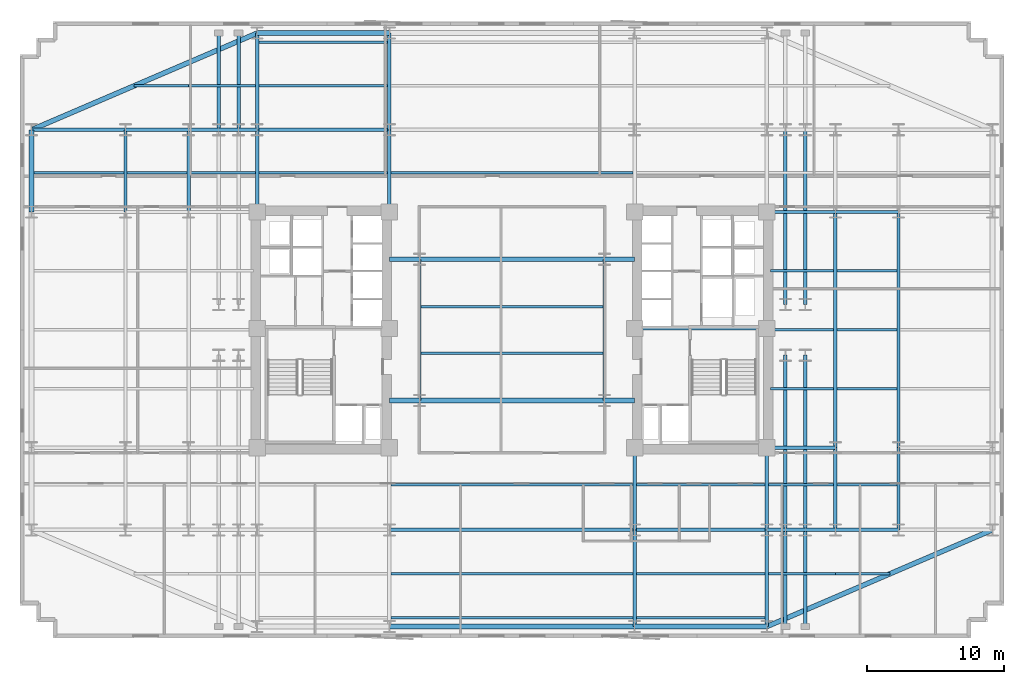
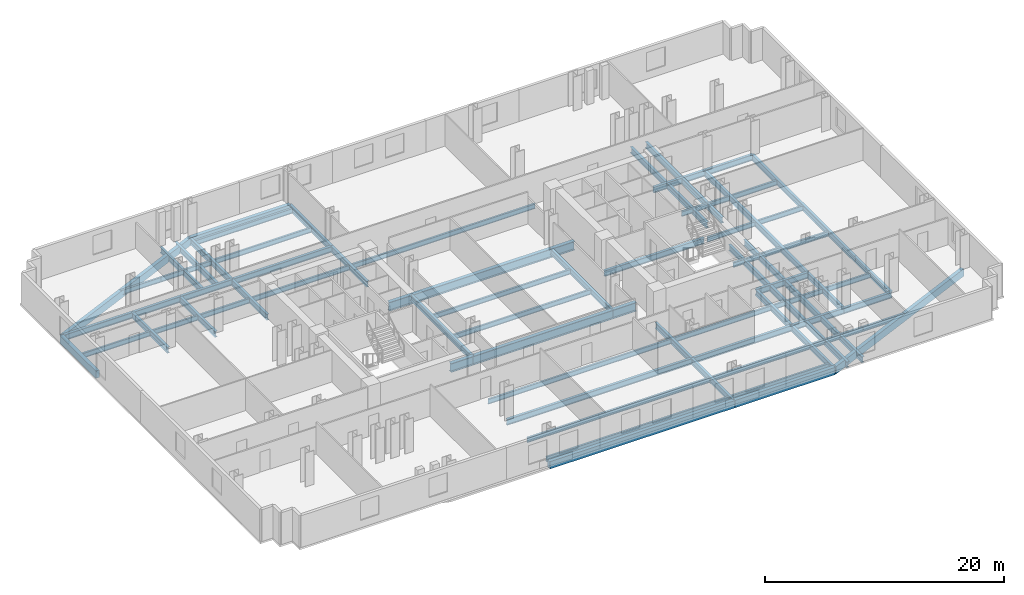
# One storey, part 2 of 10: 75 beams.
"""IFC4 building model written with IfcOpenShell, lengths in metres."""

from ifc_helpers import new_model, si_unit, direction, frame, origin, origin_2d, place, context, subcontext, project, spatial, rectangle, i_section, extrude, material, material_profile, profile_set, type_object, element, save


model = new_model("IFC4")

# Units and contexts
model_context = context("Model", 3, precision=1e-05, world=origin(), true_north=direction((0.0, 1.0)))
body_context = subcontext(model_context, "Body", "Model", "MODEL_VIEW")
ifc_project = project(units=[si_unit("LENGTHUNIT", "METRE"), si_unit("AREAUNIT", "SQUARE_METRE"), si_unit("VOLUMEUNIT", "CUBIC_METRE"), si_unit("PLANEANGLEUNIT", "RADIAN"), si_unit("MASSUNIT", "GRAM", prefix="KILO")], contexts=[model_context])

# Site, building, storey
site_placement = place(None, origin())
site = spatial("IfcSite", under=ifc_project, at=site_placement, CompositionType="ELEMENT")
building_placement = place(site_placement, origin())
building = spatial("IfcBuilding", under=site, at=building_placement, Name="Velakula Bourse", CompositionType="ELEMENT")
storey_placement = place(building_placement, frame((0.0, 0.0, 45.0)))
storey = spatial("IfcBuildingStorey", under=building, at=storey_placement, Name="L11", CompositionType="ELEMENT", Elevation=45.0)

# Beams
ifc_material_1 = material(Name="Steel IS 2062 Grade 350 (E350)", Category="steel")
ifc_material_profile_1 = material_profile(ifc_material_1, i_section(OverallWidth=0.25, OverallDepth=0.60009765625, WebThickness=0.01171875, FlangeThickness=0.023681640625, at=origin_2d()), Name="Steel IS 2062 Grade 350 (E350)")
ifc_profile_set_1 = profile_set([ifc_material_profile_1], Name="Steel IS 2062 Grade 350 (E350)")
beam_type_1 = type_object("IfcBeamType", Name="BM-GRD-600H", PredefinedType="BEAM", material=ifc_profile_set_1)
beam_1_placement = place(storey_placement, frame((8.949951171875, 0.10009765625, -0.47998046875), z_axis=(1.0, 0.0, 0.0), x_axis=(0.0, 1.0, 0.0)))
element("IfcBeam", 1, at=beam_1_placement, inside=storey, type_object=beam_type_1, Name="L11 Primary Backbone Girder CRE-M", PredefinedType="BEAM", context=body_context, shape_type="SweptSolid", body=[
    extrude(i_section(OverallWidth=0.25, OverallDepth=0.60009765625, WebThickness=0.01171875, FlangeThickness=0.023681640625, at=origin_2d()), origin(), (0.0, 0.0, 1.0), 9.650146484375),
])
for number, where, z_axis, x_axis, name in (
    (2, (-6.75, -5.14990234375, -0.47998046875), (0.0, 1.0, 0.0), (-1.0, 0.0, 0.0), "L11 Primary Backbone Girder SPN-W"),
    (3, (6.75, -5.14990234375, -0.47998046875), (0.0, 1.0, 0.0), (-1.0, 0.0, 0.0), "L11 Primary Backbone Girder SPN-E"),
):
    element("IfcBeam", number, at=place(storey_placement, frame(where, z_axis=z_axis, x_axis=x_axis)), inside=storey, type_object=beam_type_1, Name=name, PredefinedType="BEAM", context=body_context, shape_type="SweptSolid", body=[
        extrude(i_section(OverallWidth=0.25, OverallDepth=0.60009765625, WebThickness=0.01171875, FlangeThickness=0.023681640625, at=origin_2d()), origin(), (0.0, 0.0, 1.0), 10.2998046875),
    ])
for number, where, z_axis, x_axis, name in (
    (4, (-18.60009765625, 8.60009765625, -0.47998046875), (0.0, 1.0, 0.0), (-1.0, 0.0, 0.0), "L11 Fulcrum Grid Girder FLC-WN"),
    (5, (-8.949951171875, 8.60009765625, -0.47998046875), (0.0, 1.0, 0.0), (-1.0, 0.0, 0.0), "L11 Fulcrum Grid Girder FLC-WCN"),
    (6, (8.949951171875, -14.60009765625, -0.47998046875), (0.0, 1.0, 0.0), (-1.0, 0.0, 0.0), "L11 Fulcrum Grid Girder FLC-ECS"),
    (7, (18.60009765625, -14.60009765625, -0.47998046875), (0.0, 1.0, 0.0), (-1.0, 0.0, 0.0), "L11 Fulcrum Grid Girder FLC-ES"),
):
    element("IfcBeam", number, at=place(storey_placement, frame(where, z_axis=z_axis, x_axis=x_axis)), inside=storey, type_object=beam_type_1, Name=name, PredefinedType="BEAM", context=body_context, shape_type="SweptSolid", body=[
        extrude(i_section(OverallWidth=0.25, OverallDepth=0.60009765625, WebThickness=0.01171875, FlangeThickness=0.023681640625, at=origin_2d()), origin(), (0.0, 0.0, 1.0), 6.0),
    ])
beam_2_placement = place(storey_placement, frame((-8.949951171875, -14.60009765625, -0.47998046875), z_axis=(1.0, 0.0, 0.0), x_axis=(0.0, 1.0, 0.0)))
element("IfcBeam", 8, at=beam_2_placement, inside=storey, type_object=beam_type_1, Name="L11 Fulcrum Grid Girder FLC-S2", PredefinedType="BEAM", context=body_context, shape_type="SweptSolid", body=[
    extrude(i_section(OverallWidth=0.25, OverallDepth=0.60009765625, WebThickness=0.01171875, FlangeThickness=0.023681640625, at=origin_2d()), origin(), (0.0, 0.0, 1.0), 17.89990234375),
])
for number, where, z_axis, x_axis, name in (
    (9, (8.949951171875, -14.60009765625, -0.47998046875), (1.0, 0.0, 0.0), (0.0, 1.0, 0.0), "L11 Fulcrum Grid Girder FLC-S3"),
    (10, (-18.60009765625, 14.60009765625, -0.47998046875), (1.0, 0.0, 0.0), (0.0, 1.0, 0.0), "L11 Fulcrum Grid Girder FLC-N1"),
):
    element("IfcBeam", number, at=place(storey_placement, frame(where, z_axis=z_axis, x_axis=x_axis)), inside=storey, type_object=beam_type_1, Name=name, PredefinedType="BEAM", context=body_context, shape_type="SweptSolid", body=[
        extrude(i_section(OverallWidth=0.25, OverallDepth=0.60009765625, WebThickness=0.01171875, FlangeThickness=0.023681640625, at=origin_2d()), origin(), (0.0, 0.0, 1.0), 9.650146484375),
    ])
for number, where, z_axis, x_axis, name in (
    (11, (19.949951171875, -14.60009765625, -0.47998046875), (0.0, 1.0, 0.0), (-1.0, 0.0, 0.0), "L11 Fulcrum Grid Girder FLC-PSE1"),
    (12, (19.949951171875, 1.85009765625, -0.47998046875), (0.0, 1.0, 0.0), (-1.0, 0.0, 0.0), "L11 Fulcrum Grid Girder FLC-PNE1"),
    (13, (21.39990234375, -14.60009765625, -0.47998046875), (0.0, 1.0, 0.0), (-1.0, 0.0, 0.0), "L11 Fulcrum Grid Girder FLC-PSE2"),
    (14, (21.39990234375, 1.85009765625, -0.47998046875), (0.0, 1.0, 0.0), (-1.0, 0.0, 0.0), "L11 Fulcrum Grid Girder FLC-PNE2"),
):
    element("IfcBeam", number, at=place(storey_placement, frame(where, z_axis=z_axis, x_axis=x_axis)), inside=storey, type_object=beam_type_1, Name=name, PredefinedType="BEAM", context=body_context, shape_type="SweptSolid", body=[
        extrude(i_section(OverallWidth=0.25, OverallDepth=0.60009765625, WebThickness=0.01171875, FlangeThickness=0.023681640625, at=origin_2d()), origin(), (0.0, 0.0, 1.0), 12.75),
    ])
beam_3_placement = place(storey_placement, frame((-23.60009765625, 14.60009765625, -0.47998046875), z_axis=(1.0, 0.0, 0.0), x_axis=(0.0, 1.0, 0.0)))
element("IfcBeam", 15, at=beam_3_placement, inside=storey, type_object=beam_type_1, Name="L11 Fulcrum Grid Girder MWG-WN2", PredefinedType="BEAM", context=body_context, shape_type="SweptSolid", body=[
    extrude(i_section(OverallWidth=0.25, OverallDepth=0.60009765625, WebThickness=0.01171875, FlangeThickness=0.023681640625, at=origin_2d()), origin(), (0.0, 0.0, 1.0), 5.0),
])
beam_4_placement = place(storey_placement, frame((-23.60009765625, 8.60009765625, -0.47998046875), z_axis=(0.0, 1.0, 0.0), x_axis=(-1.0, 0.0, 0.0)))
element("IfcBeam", 16, at=beam_4_placement, inside=storey, type_object=beam_type_1, Name="L11 Fulcrum Grid Girder MWG-WNS3", PredefinedType="BEAM", context=body_context, shape_type="SweptSolid", body=[
    extrude(i_section(OverallWidth=0.25, OverallDepth=0.60009765625, WebThickness=0.01171875, FlangeThickness=0.023681640625, at=origin_2d()), origin(), (0.0, 0.0, 1.0), 6.0),
])
for number, where, z_axis, x_axis, name in (
    (17, (18.60009765625, -14.60009765625, -0.47998046875), (1.0, 0.0, 0.0), (0.0, 1.0, 0.0), "L11 Fulcrum Grid Girder MWG-ES1"),
    (18, (18.60009765625, -8.60009765625, -0.47998046875), (1.0, 0.0, 0.0), (0.0, 1.0, 0.0), "L11 Fulcrum Grid Girder MWG-ES2"),
    (19, (18.60009765625, 8.60009765625, -0.47998046875), (1.0, 0.0, 0.0), (0.0, 1.0, 0.0), "L11 Fulcrum Grid Girder MWG-EN1"),
):
    element("IfcBeam", number, at=place(storey_placement, frame(where, z_axis=z_axis, x_axis=x_axis)), inside=storey, type_object=beam_type_1, Name=name, PredefinedType="BEAM", context=body_context, shape_type="SweptSolid", body=[
        extrude(i_section(OverallWidth=0.25, OverallDepth=0.60009765625, WebThickness=0.01171875, FlangeThickness=0.023681640625, at=origin_2d()), origin(), (0.0, 0.0, 1.0), 5.0),
    ])
beam_5_placement = place(storey_placement, frame((23.60009765625, -14.60009765625, -0.47998046875), z_axis=(0.0, 1.0, 0.0), x_axis=(-1.0, 0.0, 0.0)))
element("IfcBeam", 20, at=beam_5_placement, inside=storey, type_object=beam_type_1, Name="L11 Fulcrum Grid Girder MWG-ENS1", PredefinedType="BEAM", context=body_context, shape_type="SweptSolid", body=[
    extrude(i_section(OverallWidth=0.25, OverallDepth=0.60009765625, WebThickness=0.01171875, FlangeThickness=0.023681640625, at=origin_2d()), origin(), (0.0, 0.0, 1.0), 6.0),
])
beam_6_placement = place(storey_placement, frame((23.60009765625, -8.60009765625, -0.47998046875), z_axis=(0.0, 1.0, 0.0), x_axis=(-1.0, 0.0, 0.0)))
element("IfcBeam", 21, at=beam_6_placement, inside=storey, type_object=beam_type_1, Name="L11 Fulcrum Grid Girder MWG-ENS2", PredefinedType="BEAM", context=body_context, shape_type="SweptSolid", body=[
    extrude(i_section(OverallWidth=0.25, OverallDepth=0.60009765625, WebThickness=0.01171875, FlangeThickness=0.023681640625, at=origin_2d()), origin(), (0.0, 0.0, 1.0), 17.2001953125),
])
beam_7_placement = place(storey_placement, frame((-28.199951171875, 14.60009765625, -0.47998046875), z_axis=(1.0, 0.0, 0.0), x_axis=(0.0, 1.0, 0.0)))
element("IfcBeam", 22, at=beam_7_placement, inside=storey, type_object=beam_type_1, Name="L11 Fulcrum Grid Girder WNG-WN2", PredefinedType="BEAM", context=body_context, shape_type="SweptSolid", body=[
    extrude(i_section(OverallWidth=0.25, OverallDepth=0.60009765625, WebThickness=0.01171875, FlangeThickness=0.023681640625, at=origin_2d()), origin(), (0.0, 0.0, 1.0), 4.599853515625),
])
beam_8_placement = place(storey_placement, frame((-28.199951171875, 8.60009765625, -0.47998046875), z_axis=(0.0, 1.0, 0.0), x_axis=(-1.0, 0.0, 0.0)))
element("IfcBeam", 23, at=beam_8_placement, inside=storey, type_object=beam_type_1, Name="L11 Fulcrum Grid Girder WNG-WNS3", PredefinedType="BEAM", context=body_context, shape_type="SweptSolid", body=[
    extrude(i_section(OverallWidth=0.25, OverallDepth=0.60009765625, WebThickness=0.01171875, FlangeThickness=0.023681640625, at=origin_2d()), origin(), (0.0, 0.0, 1.0), 6.0),
])
for number, where, z_axis, x_axis, name in (
    (24, (23.60009765625, -14.60009765625, -0.47998046875), (1.0, 0.0, 0.0), (0.0, 1.0, 0.0), "L11 Fulcrum Grid Girder WNG-ES1"),
    (25, (23.60009765625, 8.60009765625, -0.47998046875), (1.0, 0.0, 0.0), (0.0, 1.0, 0.0), "L11 Fulcrum Grid Girder WNG-EN1"),
):
    element("IfcBeam", number, at=place(storey_placement, frame(where, z_axis=z_axis, x_axis=x_axis)), inside=storey, type_object=beam_type_1, Name=name, PredefinedType="BEAM", context=body_context, shape_type="SweptSolid", body=[
        extrude(i_section(OverallWidth=0.25, OverallDepth=0.60009765625, WebThickness=0.01171875, FlangeThickness=0.023681640625, at=origin_2d()), origin(), (0.0, 0.0, 1.0), 4.599853515625),
    ])
beam_9_placement = place(storey_placement, frame((28.199951171875, -14.60009765625, -0.47998046875), z_axis=(0.0, 1.0, 0.0), x_axis=(-1.0, 0.0, 0.0)))
element("IfcBeam", 26, at=beam_9_placement, inside=storey, type_object=beam_type_1, Name="L11 Fulcrum Grid Girder WNG-ENS1", PredefinedType="BEAM", context=body_context, shape_type="SweptSolid", body=[
    extrude(i_section(OverallWidth=0.25, OverallDepth=0.60009765625, WebThickness=0.01171875, FlangeThickness=0.023681640625, at=origin_2d()), origin(), (0.0, 0.0, 1.0), 6.0),
])
beam_10_placement = place(storey_placement, frame((28.199951171875, -8.60009765625, -0.47998046875), z_axis=(0.0, 1.0, 0.0), x_axis=(-1.0, 0.0, 0.0)))
element("IfcBeam", 27, at=beam_10_placement, inside=storey, type_object=beam_type_1, Name="L11 Fulcrum Grid Girder WNG-ENS2", PredefinedType="BEAM", context=body_context, shape_type="SweptSolid", body=[
    extrude(i_section(OverallWidth=0.25, OverallDepth=0.60009765625, WebThickness=0.01171875, FlangeThickness=0.023681640625, at=origin_2d()), origin(), (0.0, 0.0, 1.0), 17.2001953125),
])
for number, where, z_axis, x_axis, name in (
    (28, (8.949951171875, -14.60009765625, -0.47998046875), (0.0, -1.0, 0.0), (1.0, 0.0, 0.0), "L11 Perimeter Tie Girder S3"),
    (29, (18.60009765625, -14.60009765625, -0.47998046875), (0.0, -1.0, 0.0), (1.0, 0.0, 0.0), "L11 Perimeter Tie Girder S4"),
    (30, (-18.60009765625, 14.60009765625, -0.47998046875), (0.0, 1.0, 0.0), (-1.0, 0.0, 0.0), "L11 Perimeter Tie Girder N1"),
    (31, (-8.949951171875, 14.60009765625, -0.47998046875), (0.0, 1.0, 0.0), (-1.0, 0.0, 0.0), "L11 Perimeter Tie Girder N2"),
):
    element("IfcBeam", number, at=place(storey_placement, frame(where, z_axis=z_axis, x_axis=x_axis)), inside=storey, type_object=beam_type_1, Name=name, PredefinedType="BEAM", context=body_context, shape_type="SweptSolid", body=[
        extrude(i_section(OverallWidth=0.25, OverallDepth=0.60009765625, WebThickness=0.01171875, FlangeThickness=0.023681640625, at=origin_2d()), origin(), (0.0, 0.0, 1.0), 7.0498046875),
    ])
beam_11_placement = place(storey_placement, frame((-28.199951171875, 14.60009765625, -0.47998046875), z_axis=(-1.0, 0.0, 0.0), x_axis=(0.0, -1.0, 0.0)))
element("IfcBeam", 32, at=beam_11_placement, inside=storey, type_object=beam_type_1, Name="L11 Perimeter Tie Girder W4", PredefinedType="BEAM", context=body_context, shape_type="SweptSolid", body=[
    extrude(i_section(OverallWidth=0.25, OverallDepth=0.60009765625, WebThickness=0.01171875, FlangeThickness=0.023681640625, at=origin_2d()), origin(), (0.0, 0.0, 1.0), 6.85009765625),
])
for number, where, z_axis, x_axis, name in (
    (33, (19.949951171875, -14.60009765625, -0.47998046875), (0.0, -1.0, 0.0), (1.0, 0.0, 0.0), "L11 Perimeter Tie Girder P03"),
    (34, (21.39990234375, -14.60009765625, -0.47998046875), (0.0, -1.0, 0.0), (1.0, 0.0, 0.0), "L11 Perimeter Tie Girder P04"),
    (35, (-21.39990234375, 14.60009765625, -0.47998046875), (0.0, 1.0, 0.0), (-1.0, 0.0, 0.0), "L11 Perimeter Tie Girder P05"),
    (36, (-19.949951171875, 14.60009765625, -0.47998046875), (0.0, 1.0, 0.0), (-1.0, 0.0, 0.0), "L11 Perimeter Tie Girder P06"),
):
    element("IfcBeam", number, at=place(storey_placement, frame(where, z_axis=z_axis, x_axis=x_axis)), inside=storey, type_object=beam_type_1, Name=name, PredefinedType="BEAM", context=body_context, shape_type="SweptSolid", body=[
        extrude(i_section(OverallWidth=0.25, OverallDepth=0.60009765625, WebThickness=0.01171875, FlangeThickness=0.023681640625, at=origin_2d()), origin(), (0.0, 0.0, 1.0), 7.0498046875),
    ])
ifc_material_profile_2 = material_profile(ifc_material_1, i_section(OverallWidth=0.35009765625, OverallDepth=0.89990234375, WebThickness=0.02001953125, FlangeThickness=0.031982421875, at=origin_2d()), Name="Steel IS 2062 Grade 350 (E350)")
ifc_profile_set_2 = profile_set([ifc_material_profile_2], Name="Steel IS 2062 Grade 350 (E350)")
beam_type_2 = type_object("IfcBeamType", Name="BM-LNK-900", PredefinedType="BEAM", material=ifc_profile_set_2)
beam_12_placement = place(storey_placement, frame((-8.949951171875, -5.14990234375, -0.6298828125), z_axis=(1.0, 0.0, 0.0), x_axis=(0.0, 1.0, 0.0)))
element("IfcBeam", 37, at=beam_12_placement, inside=storey, type_object=beam_type_2, Name="L11 Primary Backbone Girder LNK-S1", PredefinedType="BEAM", context=body_context, shape_type="SweptSolid", body=[
    extrude(i_section(OverallWidth=0.35009765625, OverallDepth=0.89990234375, WebThickness=0.02001953125, FlangeThickness=0.031982421875, at=origin_2d()), origin(), (0.0, 0.0, 1.0), 2.199951171875),
])
beam_13_placement = place(storey_placement, frame((-6.75, -5.14990234375, -0.6298828125), z_axis=(1.0, 0.0, 0.0), x_axis=(0.0, 1.0, 0.0)))
element("IfcBeam", 38, at=beam_13_placement, inside=storey, type_object=beam_type_2, Name="L11 Primary Backbone Girder LNK-S2", PredefinedType="BEAM", context=body_context, shape_type="SweptSolid", body=[
    extrude(i_section(OverallWidth=0.35009765625, OverallDepth=0.89990234375, WebThickness=0.02001953125, FlangeThickness=0.031982421875, at=origin_2d()), origin(), (0.0, 0.0, 1.0), 13.5),
])
for number, where, z_axis, x_axis, name in (
    (39, (6.75, -5.14990234375, -0.6298828125), (1.0, 0.0, 0.0), (0.0, 1.0, 0.0), "L11 Primary Backbone Girder LNK-S3"),
    (40, (-8.949951171875, 5.14990234375, -0.6298828125), (1.0, 0.0, 0.0), (0.0, 1.0, 0.0), "L11 Primary Backbone Girder LNK-N1"),
):
    element("IfcBeam", number, at=place(storey_placement, frame(where, z_axis=z_axis, x_axis=x_axis)), inside=storey, type_object=beam_type_2, Name=name, PredefinedType="BEAM", context=body_context, shape_type="SweptSolid", body=[
        extrude(i_section(OverallWidth=0.35009765625, OverallDepth=0.89990234375, WebThickness=0.02001953125, FlangeThickness=0.031982421875, at=origin_2d()), origin(), (0.0, 0.0, 1.0), 2.199951171875),
    ])
beam_14_placement = place(storey_placement, frame((-6.75, 5.14990234375, -0.6298828125), z_axis=(1.0, 0.0, 0.0), x_axis=(0.0, 1.0, 0.0)))
element("IfcBeam", 41, at=beam_14_placement, inside=storey, type_object=beam_type_2, Name="L11 Primary Backbone Girder LNK-N2", PredefinedType="BEAM", context=body_context, shape_type="SweptSolid", body=[
    extrude(i_section(OverallWidth=0.35009765625, OverallDepth=0.89990234375, WebThickness=0.02001953125, FlangeThickness=0.031982421875, at=origin_2d()), origin(), (0.0, 0.0, 1.0), 13.5),
])
beam_15_placement = place(storey_placement, frame((6.75, 5.14990234375, -0.6298828125), z_axis=(1.0, 0.0, 0.0), x_axis=(0.0, 1.0, 0.0)))
element("IfcBeam", 42, at=beam_15_placement, inside=storey, type_object=beam_type_2, Name="L11 Primary Backbone Girder LNK-N3", PredefinedType="BEAM", context=body_context, shape_type="SweptSolid", body=[
    extrude(i_section(OverallWidth=0.35009765625, OverallDepth=0.89990234375, WebThickness=0.02001953125, FlangeThickness=0.031982421875, at=origin_2d()), origin(), (0.0, 0.0, 1.0), 2.199951171875),
])
ifc_material_profile_3 = material_profile(ifc_material_1, i_section(OverallWidth=0.179931640625, OverallDepth=0.5, WebThickness=0.01025390625, FlangeThickness=0.01708984375, at=origin_2d()), Name="Steel IS 2062 Grade 350 (E350)")
ifc_profile_set_3 = profile_set([ifc_material_profile_3], Name="Steel IS 2062 Grade 350 (E350)")
beam_type_3 = type_object("IfcBeamType", Name="JST-TWR-500", PredefinedType="JOIST", material=ifc_profile_set_3)
beam_16_placement = place(storey_placement, frame((-8.824951171875, -21.0, -0.429931640625), z_axis=(1.0, 0.0, 0.0), x_axis=(0.0, 1.0, 0.0)))
element("IfcBeam", 43, at=beam_16_placement, inside=storey, type_object=beam_type_3, Name="L11 Trading Floor Composite Joist 02", PredefinedType="JOIST", context=body_context, shape_type="SweptSolid", body=[
    extrude(i_section(OverallWidth=0.179931640625, OverallDepth=0.5, WebThickness=0.01025390625, FlangeThickness=0.01708984375, at=origin_2d()), origin(), (0.0, 0.0, 1.0), 17.64990234375),
])
beam_17_placement = place(storey_placement, frame((9.074951171875, -21.0, -0.429931640625), z_axis=(1.0, 0.0, 0.0), x_axis=(0.0, 1.0, 0.0)))
element("IfcBeam", 44, at=beam_17_placement, inside=storey, type_object=beam_type_3, Name="L11 Trading Floor Composite Joist 03", PredefinedType="JOIST", context=body_context, shape_type="SweptSolid", body=[
    extrude(i_section(OverallWidth=0.179931640625, OverallDepth=0.5, WebThickness=0.01025390625, FlangeThickness=0.01708984375, at=origin_2d()), origin(), (0.0, 0.0, 1.0), 9.400146484375),
])
beam_18_placement = place(storey_placement, frame((-8.824951171875, -17.800048828125, -0.429931640625), z_axis=(1.0, 0.0, 0.0), x_axis=(0.0, 1.0, 0.0)))
element("IfcBeam", 45, at=beam_18_placement, inside=storey, type_object=beam_type_3, Name="L11 Trading Floor Composite Joist 07", PredefinedType="JOIST", context=body_context, shape_type="SweptSolid", body=[
    extrude(i_section(OverallWidth=0.179931640625, OverallDepth=0.5, WebThickness=0.01025390625, FlangeThickness=0.01708984375, at=origin_2d()), origin(), (0.0, 0.0, 1.0), 17.64990234375),
])
beam_19_placement = place(storey_placement, frame((9.074951171875, -17.800048828125, -0.429931640625), z_axis=(1.0, 0.0, 0.0), x_axis=(0.0, 1.0, 0.0)))
element("IfcBeam", 46, at=beam_19_placement, inside=storey, type_object=beam_type_3, Name="L11 Trading Floor Composite Joist 08", PredefinedType="JOIST", context=body_context, shape_type="SweptSolid", body=[
    extrude(i_section(OverallWidth=0.179931640625, OverallDepth=0.5, WebThickness=0.01025390625, FlangeThickness=0.01708984375, at=origin_2d()), origin(), (0.0, 0.0, 1.0), 9.400146484375),
])
beam_20_placement = place(storey_placement, frame((18.72509765625, -17.800048828125, -0.429931640625), z_axis=(1.0, 0.0, 0.0), x_axis=(0.0, 1.0, 0.0)))
element("IfcBeam", 47, at=beam_20_placement, inside=storey, type_object=beam_type_3, Name="L11 Trading Floor Composite Joist 09", PredefinedType="JOIST", context=body_context, shape_type="SweptSolid", body=[
    extrude(i_section(OverallWidth=0.179931640625, OverallDepth=0.5, WebThickness=0.01025390625, FlangeThickness=0.01708984375, at=origin_2d()), origin(), (0.0, 0.0, 1.0), 4.875),
])
beam_21_placement = place(storey_placement, frame((23.60009765625, -17.800048828125, -0.429931640625), z_axis=(1.0, 0.0, 0.0), x_axis=(0.0, 1.0, 0.0)))
element("IfcBeam", 48, at=beam_21_placement, inside=storey, type_object=beam_type_3, Name="L11 Trading Floor Composite Joist 10", PredefinedType="JOIST", context=body_context, shape_type="SweptSolid", body=[
    extrude(i_section(OverallWidth=0.179931640625, OverallDepth=0.5, WebThickness=0.01025390625, FlangeThickness=0.01708984375, at=origin_2d()), origin(), (0.0, 0.0, 1.0), 3.983154296875),
])
beam_22_placement = place(storey_placement, frame((-8.824951171875, -11.300048828125, -0.429931640625), z_axis=(1.0, 0.0, 0.0), x_axis=(0.0, 1.0, 0.0)))
element("IfcBeam", 49, at=beam_22_placement, inside=storey, type_object=beam_type_3, Name="L11 Trading Floor Composite Joist 15", PredefinedType="JOIST", context=body_context, shape_type="SweptSolid", body=[
    extrude(i_section(OverallWidth=0.179931640625, OverallDepth=0.5, WebThickness=0.01025390625, FlangeThickness=0.01708984375, at=origin_2d()), origin(), (0.0, 0.0, 1.0), 17.64990234375),
])
beam_23_placement = place(storey_placement, frame((9.074951171875, -11.300048828125, -0.429931640625), z_axis=(1.0, 0.0, 0.0), x_axis=(0.0, 1.0, 0.0)))
element("IfcBeam", 50, at=beam_23_placement, inside=storey, type_object=beam_type_3, Name="L11 Trading Floor Composite Joist 16", PredefinedType="JOIST", context=body_context, shape_type="SweptSolid", body=[
    extrude(i_section(OverallWidth=0.179931640625, OverallDepth=0.5, WebThickness=0.01025390625, FlangeThickness=0.01708984375, at=origin_2d()), origin(), (0.0, 0.0, 1.0), 9.400146484375),
])
beam_24_placement = place(storey_placement, frame((18.72509765625, -11.300048828125, -0.429931640625), z_axis=(1.0, 0.0, 0.0), x_axis=(0.0, 1.0, 0.0)))
element("IfcBeam", 51, at=beam_24_placement, inside=storey, type_object=beam_type_3, Name="L11 Trading Floor Composite Joist 17", PredefinedType="JOIST", context=body_context, shape_type="SweptSolid", body=[
    extrude(i_section(OverallWidth=0.179931640625, OverallDepth=0.5, WebThickness=0.01025390625, FlangeThickness=0.01708984375, at=origin_2d()), origin(), (0.0, 0.0, 1.0), 4.75),
])
beam_25_placement = place(storey_placement, frame((23.72509765625, -11.300048828125, -0.429931640625), z_axis=(1.0, 0.0, 0.0), x_axis=(0.0, 1.0, 0.0)))
element("IfcBeam", 52, at=beam_25_placement, inside=storey, type_object=beam_type_3, Name="L11 Trading Floor Composite Joist 18", PredefinedType="JOIST", context=body_context, shape_type="SweptSolid", body=[
    extrude(i_section(OverallWidth=0.179931640625, OverallDepth=0.5, WebThickness=0.01025390625, FlangeThickness=0.01708984375, at=origin_2d()), origin(), (0.0, 0.0, 1.0), 4.349853515625),
])
beam_26_placement = place(storey_placement, frame((-34.875, 11.449951171875, -0.429931640625), z_axis=(1.0, 0.0, 0.0), x_axis=(0.0, 1.0, 0.0)))
element("IfcBeam", 53, at=beam_26_placement, inside=storey, type_object=beam_type_3, Name="L11 Trading Floor Composite Joist 20", PredefinedType="JOIST", context=body_context, shape_type="SweptSolid", body=[
    extrude(i_section(OverallWidth=0.179931640625, OverallDepth=0.5, WebThickness=0.01025390625, FlangeThickness=0.01708984375, at=origin_2d()), origin(), (0.0, 0.0, 1.0), 6.550048828125),
])
beam_27_placement = place(storey_placement, frame((-28.074951171875, 11.449951171875, -0.429931640625), z_axis=(1.0, 0.0, 0.0), x_axis=(0.0, 1.0, 0.0)))
element("IfcBeam", 54, at=beam_27_placement, inside=storey, type_object=beam_type_3, Name="L11 Trading Floor Composite Joist 21", PredefinedType="JOIST", context=body_context, shape_type="SweptSolid", body=[
    extrude(i_section(OverallWidth=0.179931640625, OverallDepth=0.5, WebThickness=0.01025390625, FlangeThickness=0.01708984375, at=origin_2d()), origin(), (0.0, 0.0, 1.0), 4.349853515625),
])
beam_28_placement = place(storey_placement, frame((-23.47509765625, 11.449951171875, -0.429931640625), z_axis=(1.0, 0.0, 0.0), x_axis=(0.0, 1.0, 0.0)))
element("IfcBeam", 55, at=beam_28_placement, inside=storey, type_object=beam_type_3, Name="L11 Trading Floor Composite Joist 22", PredefinedType="JOIST", context=body_context, shape_type="SweptSolid", body=[
    extrude(i_section(OverallWidth=0.179931640625, OverallDepth=0.5, WebThickness=0.01025390625, FlangeThickness=0.01708984375, at=origin_2d()), origin(), (0.0, 0.0, 1.0), 4.75),
])
beam_29_placement = place(storey_placement, frame((-18.47509765625, 11.449951171875, -0.429931640625), z_axis=(1.0, 0.0, 0.0), x_axis=(0.0, 1.0, 0.0)))
element("IfcBeam", 56, at=beam_29_placement, inside=storey, type_object=beam_type_3, Name="L11 Trading Floor Composite Joist 23", PredefinedType="JOIST", context=body_context, shape_type="SweptSolid", body=[
    extrude(i_section(OverallWidth=0.179931640625, OverallDepth=0.5, WebThickness=0.01025390625, FlangeThickness=0.01708984375, at=origin_2d()), origin(), (0.0, 0.0, 1.0), 9.400146484375),
])
beam_30_placement = place(storey_placement, frame((-8.824951171875, 11.449951171875, -0.429931640625), z_axis=(1.0, 0.0, 0.0), x_axis=(0.0, 1.0, 0.0)))
element("IfcBeam", 57, at=beam_30_placement, inside=storey, type_object=beam_type_3, Name="L11 Trading Floor Composite Joist 24", PredefinedType="JOIST", context=body_context, shape_type="SweptSolid", body=[
    extrude(i_section(OverallWidth=0.179931640625, OverallDepth=0.5, WebThickness=0.01025390625, FlangeThickness=0.01708984375, at=origin_2d()), origin(), (0.0, 0.0, 1.0), 17.64990234375),
])
beam_31_placement = place(storey_placement, frame((-27.583251953125, 17.800048828125, -0.429931640625), z_axis=(1.0, 0.0, 0.0), x_axis=(0.0, 1.0, 0.0)))
element("IfcBeam", 58, at=beam_31_placement, inside=storey, type_object=beam_type_3, Name="L11 Trading Floor Composite Joist 29", PredefinedType="JOIST", context=body_context, shape_type="SweptSolid", body=[
    extrude(i_section(OverallWidth=0.179931640625, OverallDepth=0.5, WebThickness=0.01025390625, FlangeThickness=0.01708984375, at=origin_2d()), origin(), (0.0, 0.0, 1.0), 3.983154296875),
])
beam_32_placement = place(storey_placement, frame((-23.60009765625, 17.800048828125, -0.429931640625), z_axis=(1.0, 0.0, 0.0), x_axis=(0.0, 1.0, 0.0)))
element("IfcBeam", 59, at=beam_32_placement, inside=storey, type_object=beam_type_3, Name="L11 Trading Floor Composite Joist 30", PredefinedType="JOIST", context=body_context, shape_type="SweptSolid", body=[
    extrude(i_section(OverallWidth=0.179931640625, OverallDepth=0.5, WebThickness=0.01025390625, FlangeThickness=0.01708984375, at=origin_2d()), origin(), (0.0, 0.0, 1.0), 4.875),
])
for number, where, z_axis, x_axis, name in (
    (60, (-18.47509765625, 17.800048828125, -0.429931640625), (1.0, 0.0, 0.0), (0.0, 1.0, 0.0), "L11 Trading Floor Composite Joist 31"),
    (61, (-18.47509765625, 21.0, -0.429931640625), (1.0, 0.0, 0.0), (0.0, 1.0, 0.0), "L11 Trading Floor Composite Joist 36"),
):
    element("IfcBeam", number, at=place(storey_placement, frame(where, z_axis=z_axis, x_axis=x_axis)), inside=storey, type_object=beam_type_3, Name=name, PredefinedType="JOIST", context=body_context, shape_type="SweptSolid", body=[
        extrude(i_section(OverallWidth=0.179931640625, OverallDepth=0.5, WebThickness=0.01025390625, FlangeThickness=0.01708984375, at=origin_2d()), origin(), (0.0, 0.0, 1.0), 9.400146484375),
    ])
for number, where, z_axis, x_axis, name in (
    (62, (-6.625, -1.699951171875, -0.429931640625), (1.0, 0.0, 0.0), (0.0, 1.0, 0.0), "L11 Trading Floor Composite Joist 39"),
    (63, (-6.625, 1.699951171875, -0.429931640625), (1.0, 0.0, 0.0), (0.0, 1.0, 0.0), "L11 Trading Floor Composite Joist 40"),
):
    element("IfcBeam", number, at=place(storey_placement, frame(where, z_axis=z_axis, x_axis=x_axis)), inside=storey, type_object=beam_type_3, Name=name, PredefinedType="JOIST", context=body_context, shape_type="SweptSolid", body=[
        extrude(i_section(OverallWidth=0.179931640625, OverallDepth=0.5, WebThickness=0.01025390625, FlangeThickness=0.01708984375, at=origin_2d()), origin(), (0.0, 0.0, 1.0), 13.25),
    ])
beam_33_placement = place(storey_placement, frame((18.85009765625, -4.300048828125, -0.429931640625), z_axis=(1.0, 0.0, 0.0), x_axis=(0.0, 1.0, 0.0)))
element("IfcBeam", 64, at=beam_33_placement, inside=storey, type_object=beam_type_3, Name="L11 Trading Floor Composite Joist 44", PredefinedType="JOIST", context=body_context, shape_type="SweptSolid", body=[
    extrude(i_section(OverallWidth=0.179931640625, OverallDepth=0.5, WebThickness=0.01025390625, FlangeThickness=0.01708984375, at=origin_2d()), origin(), (0.0, 0.0, 1.0), 4.625),
])
beam_34_placement = place(storey_placement, frame((23.72509765625, -4.300048828125, -0.429931640625), z_axis=(1.0, 0.0, 0.0), x_axis=(0.0, 1.0, 0.0)))
element("IfcBeam", 65, at=beam_34_placement, inside=storey, type_object=beam_type_3, Name="L11 Trading Floor Composite Joist 45", PredefinedType="JOIST", context=body_context, shape_type="SweptSolid", body=[
    extrude(i_section(OverallWidth=0.179931640625, OverallDepth=0.5, WebThickness=0.01025390625, FlangeThickness=0.01708984375, at=origin_2d()), origin(), (0.0, 0.0, 1.0), 4.349853515625),
])
beam_35_placement = place(storey_placement, frame((18.85009765625, 0.0, -0.429931640625), z_axis=(1.0, 0.0, 0.0), x_axis=(0.0, 1.0, 0.0)))
element("IfcBeam", 66, at=beam_35_placement, inside=storey, type_object=beam_type_3, Name="L11 Trading Floor Composite Joist 50", PredefinedType="JOIST", context=body_context, shape_type="SweptSolid", body=[
    extrude(i_section(OverallWidth=0.179931640625, OverallDepth=0.5, WebThickness=0.01025390625, FlangeThickness=0.01708984375, at=origin_2d()), origin(), (0.0, 0.0, 1.0), 4.625),
])
beam_36_placement = place(storey_placement, frame((23.72509765625, 0.0, -0.429931640625), z_axis=(1.0, 0.0, 0.0), x_axis=(0.0, 1.0, 0.0)))
element("IfcBeam", 67, at=beam_36_placement, inside=storey, type_object=beam_type_3, Name="L11 Trading Floor Composite Joist 51", PredefinedType="JOIST", context=body_context, shape_type="SweptSolid", body=[
    extrude(i_section(OverallWidth=0.179931640625, OverallDepth=0.5, WebThickness=0.01025390625, FlangeThickness=0.01708984375, at=origin_2d()), origin(), (0.0, 0.0, 1.0), 4.349853515625),
])
beam_37_placement = place(storey_placement, frame((18.85009765625, 4.300048828125, -0.429931640625), z_axis=(1.0, 0.0, 0.0), x_axis=(0.0, 1.0, 0.0)))
element("IfcBeam", 68, at=beam_37_placement, inside=storey, type_object=beam_type_3, Name="L11 Trading Floor Composite Joist 56", PredefinedType="JOIST", context=body_context, shape_type="SweptSolid", body=[
    extrude(i_section(OverallWidth=0.179931640625, OverallDepth=0.5, WebThickness=0.01025390625, FlangeThickness=0.01708984375, at=origin_2d()), origin(), (0.0, 0.0, 1.0), 4.625),
])
beam_38_placement = place(storey_placement, frame((23.72509765625, 4.300048828125, -0.429931640625), z_axis=(1.0, 0.0, 0.0), x_axis=(0.0, 1.0, 0.0)))
element("IfcBeam", 69, at=beam_38_placement, inside=storey, type_object=beam_type_3, Name="L11 Trading Floor Composite Joist 57", PredefinedType="JOIST", context=body_context, shape_type="SweptSolid", body=[
    extrude(i_section(OverallWidth=0.179931640625, OverallDepth=0.5, WebThickness=0.01025390625, FlangeThickness=0.01708984375, at=origin_2d()), origin(), (0.0, 0.0, 1.0), 4.349853515625),
])
ifc_material_2 = material(Name="Precast concrete M45 (fck 45 MPa)", Category="concrete")
ifc_material_profile_4 = material_profile(ifc_material_2, rectangle(XDim=0.35009765625, YDim=0.75, at=origin_2d()), Name="Precast concrete M45 (fck 45 MPa)")
ifc_profile_set_4 = profile_set([ifc_material_profile_4], Name="Precast concrete M45 (fck 45 MPa)")
beam_type_4 = type_object("IfcBeamType", Name="SPN-BRICK-750", PredefinedType="SPANDREL", material=ifc_profile_set_4)
beam_39_placement = place(storey_placement, frame((-8.949951171875, -21.64990234375, -0.554931640625), z_axis=(1.0, 0.0, 0.0), x_axis=(0.0, 1.0, 0.0)))
element("IfcBeam", 70, at=beam_39_placement, inside=storey, type_object=beam_type_4, Name="L11 Brick-Faced Precast Spandrel S2-S3", PredefinedType="SPANDREL", context=body_context, shape_type="SweptSolid", body=[
    extrude(rectangle(XDim=0.35009765625, YDim=0.75, at=origin_2d()), origin(), (0.0, 0.0, 1.0), 17.89990234375),
])
for number, where, z_axis, x_axis, name in (
    (71, (8.949951171875, -21.64990234375, -0.554931640625), (1.0, 0.0, 0.0), (0.0, 1.0, 0.0), "L11 Brick-Faced Precast Spandrel S3-S4"),
    (72, (-18.60009765625, 21.64990234375, -0.554931640625), (1.0, 0.0, 0.0), (0.0, 1.0, 0.0), "L11 Brick-Faced Precast Spandrel N1-N2"),
):
    element("IfcBeam", number, at=place(storey_placement, frame(where, z_axis=z_axis, x_axis=x_axis)), inside=storey, type_object=beam_type_4, Name=name, PredefinedType="SPANDREL", context=body_context, shape_type="SweptSolid", body=[
        extrude(rectangle(XDim=0.35009765625, YDim=0.75, at=origin_2d()), origin(), (0.0, 0.0, 1.0), 9.650146484375),
    ])
beam_40_placement = place(storey_placement, frame((-35.050048828125, 8.60009765625, -0.554931640625), z_axis=(0.0, 1.0, 0.0), x_axis=(-1.0, 0.0, 0.0)))
element("IfcBeam", 73, at=beam_40_placement, inside=storey, type_object=beam_type_4, Name="L11 Brick-Faced Precast Spandrel W3-W4", PredefinedType="SPANDREL", context=body_context, shape_type="SweptSolid", body=[
    extrude(rectangle(XDim=0.35009765625, YDim=0.75, at=origin_2d()), origin(), (0.0, 0.0, 1.0), 6.0),
])
for number, where, z_axis, x_axis, name in (
    (74, (18.60009765625, -21.64990234375, -0.554931640625), (0.919148557947, 0.393911066642, 0.0), (-0.393911066642, 0.919148557947, 0.0), "L11 Brick-Faced Precast Spandrel S4-E1"),
    (75, (-18.60009765625, 21.64990234375, -0.554931640625), (-0.919148557947, -0.393911066642, 0.0), (0.393911066642, -0.919148557947, 0.0), "L11 Brick-Faced Precast Spandrel N1-W4"),
):
    element("IfcBeam", number, at=place(storey_placement, frame(where, z_axis=z_axis, x_axis=x_axis)), inside=storey, type_object=beam_type_4, Name=name, PredefinedType="SPANDREL", context=body_context, shape_type="SweptSolid", body=[
        extrude(rectangle(XDim=0.35009765625, YDim=0.75, at=origin_2d()), origin(), (0.0, 0.0, 1.0), 17.89697265625),
    ])

save(model, "model.ifc")
